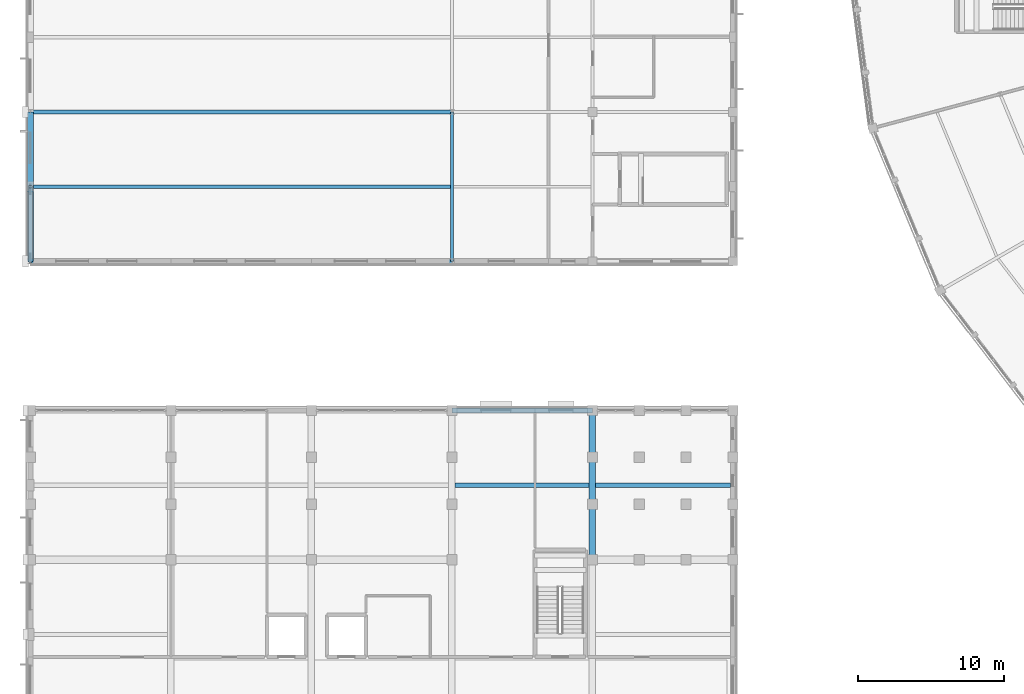
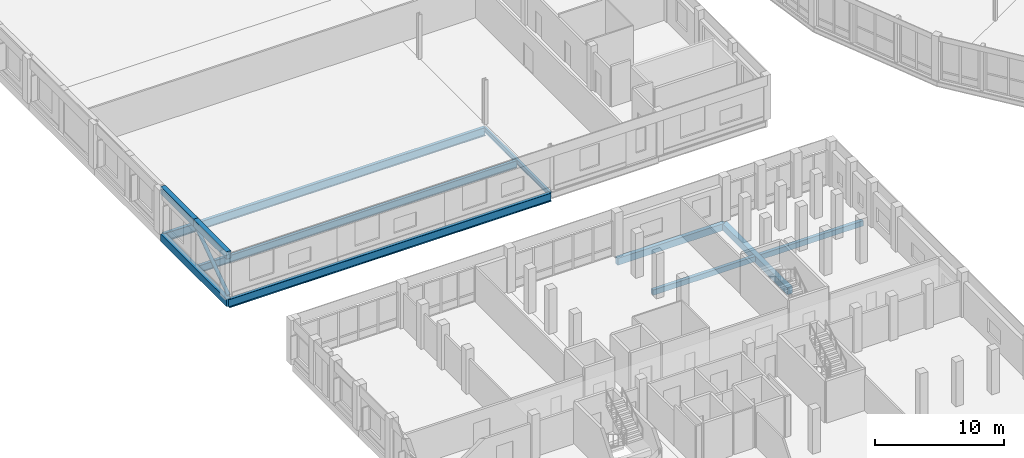
# One storey, part 34 of 185: 11 beams, 1 member.
"""IFC4 building model written with IfcOpenShell, lengths in metres."""

from ifc_helpers import new_model, si_unit, direction, frame, origin, origin_2d, place, context, subcontext, project, spatial, rectangle, hollow_circle, i_section, extrude, material, material_profile, profile_set, type_object, element, save


model = new_model("IFC4")

# Units and contexts
model_context = context("Model", 3, precision=1e-05, world=origin(), true_north=direction((0.0, 1.0)))
body_context = subcontext(model_context, "Body", "Model", "MODEL_VIEW")
ifc_project = project(units=[si_unit("LENGTHUNIT", "METRE"), si_unit("AREAUNIT", "SQUARE_METRE"), si_unit("VOLUMEUNIT", "CUBIC_METRE"), si_unit("PLANEANGLEUNIT", "RADIAN"), si_unit("MASSUNIT", "GRAM", prefix="KILO")], contexts=[model_context])

# Site, building, storey
site_placement = place(None, origin())
site = spatial("IfcSite", under=ifc_project, at=site_placement, CompositionType="ELEMENT")
building_placement = place(site_placement, origin())
building = spatial("IfcBuilding", under=site, at=building_placement, Name="Vondelvale Polytechnic", CompositionType="ELEMENT")
storey_placement = place(building_placement, frame((0.0, 0.0, 9.60009765625)))
storey = spatial("IfcBuildingStorey", under=building, at=storey_placement, Name="L02", CompositionType="ELEMENT", Elevation=9.60009765625)

# Beams
ifc_material_1 = material(Name="Concrete N40 (f'c = 40 MPa)", Category="concrete")
ifc_material_profile_1 = material_profile(ifc_material_1, rectangle(XDim=0.449951171875, YDim=0.64990234375, at=origin_2d()), Name="RC-BM-450x650")
ifc_profile_set_1 = profile_set([ifc_material_profile_1], Name="Concrete N40 (f'c = 40 MPa)")
beam_type_1 = type_object("IfcBeamType", Name="BM-RC450x650", PredefinedType="BEAM", material=ifc_profile_set_1)
beam_1_placement = place(storey_placement, frame((38.39990234375, 30.60009765625, -0.60498046875), z_axis=(0.0, 1.0, 0.0), x_axis=(-1.0, 0.0, 0.0)))
element("IfcBeam", 1, at=beam_1_placement, inside=storey, type_object=beam_type_1, Name="L02 B B-04", PredefinedType="BEAM", context=body_context, shape_type="SweptSolid", body=[
    extrude(rectangle(XDim=0.449951171875, YDim=0.64990234375, at=origin_2d()), origin(), (0.0, 0.0, 1.0), 10.199951171875),
])
ifc_material_2 = material(Name="Steel 300PLUS (fy = 300 MPa)", Category="steel")
ifc_material_profile_2 = material_profile(ifc_material_2, i_section(OverallWidth=0.18994140625, OverallDepth=0.45703125, WebThickness=0.009033203125, FlangeThickness=0.014404296875, FilletRadius=0.011474609375, at=origin_2d()), Name="460UB74.6")
ifc_profile_set_2 = profile_set([ifc_material_profile_2], Name="Steel 300PLUS (fy = 300 MPa)")
beam_type_2 = type_object("IfcBeamType", Name="BM-UB460", PredefinedType="BEAM", material=ifc_profile_set_2)
beam_2_placement = place(storey_placement, frame((28.800048828125, 51.0, -0.508544921875), z_axis=(0.0, 1.0, 0.0), x_axis=(-1.0, 0.0, 0.0)))
element("IfcBeam", 2, at=beam_2_placement, inside=storey, type_object=beam_type_2, Name="L02 B B-13", PredefinedType="BEAM", context=body_context, shape_type="SweptSolid", body=[
    extrude(i_section(OverallWidth=0.18994140625, OverallDepth=0.45703125, WebThickness=0.009033203125, FlangeThickness=0.014404296875, FilletRadius=0.011474609375, at=origin_2d()), origin(), (0.0, 0.0, 1.0), 10.199951171875),
])
ifc_material_profile_3 = material_profile(ifc_material_2, i_section(OverallWidth=0.25, OverallDepth=0.69189453125, WebThickness=0.009033203125, FlangeThickness=0.011962890625, FilletRadius=0.013916015625, at=origin_2d()), Name="700WB115")
ifc_profile_set_3 = profile_set([ifc_material_profile_3], Name="Steel 300PLUS (fy = 300 MPa)")
beam_type_3 = type_object("IfcBeamType", Name="BM-WB700L", PredefinedType="BEAM", material=ifc_profile_set_3)
beam_3_placement = place(storey_placement, frame((0.199951171875, 56.10009765625, -0.6259765625), z_axis=(1.0, 0.0, 0.0), x_axis=(0.0, 1.0, 0.0)))
element("IfcBeam", 3, at=beam_3_placement, inside=storey, type_object=beam_type_3, Name="L02 J B-19", PredefinedType="BEAM", context=body_context, shape_type="SweptSolid", body=[
    extrude(i_section(OverallWidth=0.25, OverallDepth=0.69189453125, WebThickness=0.009033203125, FlangeThickness=0.011962890625, FilletRadius=0.013916015625, at=origin_2d()), origin(), (0.0, 0.0, 1.0), 28.5),
])
ifc_material_profile_4 = material_profile(ifc_material_2, i_section(OverallWidth=0.27490234375, OverallDepth=0.800048828125, WebThickness=0.011962890625, FlangeThickness=0.02001953125, FilletRadius=0.011962890625, at=origin_2d()), Name="800WB168")
ifc_profile_set_4 = profile_set([ifc_material_profile_4], Name="Steel 300PLUS (fy = 300 MPa)")
beam_type_4 = type_object("IfcBeamType", Name="BM-WB800", PredefinedType="BEAM", material=ifc_profile_set_4)
beam_4_placement = place(storey_placement, frame((0.0, 51.0, -0.68017578125), z_axis=(1.0, 0.0, 0.0), x_axis=(0.0, 1.0, 0.0)))
element("IfcBeam", 4, at=beam_4_placement, inside=storey, type_object=beam_type_4, Name="L02 B B-07", PredefinedType="BEAM", context=body_context, shape_type="SweptSolid", body=[
    extrude(i_section(OverallWidth=0.27490234375, OverallDepth=0.800048828125, WebThickness=0.011962890625, FlangeThickness=0.02001953125, FilletRadius=0.011962890625, at=origin_2d()), origin(), (0.0, 0.0, 1.0), 28.800048828125),
])
ifc_material_profile_5 = material_profile(ifc_material_2, i_section(OverallWidth=0.27490234375, OverallDepth=0.7919921875, WebThickness=0.009033203125, FlangeThickness=0.01611328125, FilletRadius=0.013916015625, at=origin_2d()), Name="800WB146")
ifc_profile_set_5 = profile_set([ifc_material_profile_5], Name="Steel 300PLUS (fy = 300 MPa)")
beam_type_5 = type_object("IfcBeamType", Name="BM-WB800L", PredefinedType="BEAM", material=ifc_profile_set_5)
beam_5_placement = place(storey_placement, frame((0.0, 61.199951171875, -0.676025390625), z_axis=(1.0, 0.0, 0.0), x_axis=(0.0, 1.0, 0.0)))
element("IfcBeam", 5, at=beam_5_placement, inside=storey, type_object=beam_type_5, Name="L02 B B-18", PredefinedType="BEAM", context=body_context, shape_type="SweptSolid", body=[
    extrude(i_section(OverallWidth=0.27490234375, OverallDepth=0.7919921875, WebThickness=0.009033203125, FlangeThickness=0.01611328125, FilletRadius=0.013916015625, at=origin_2d()), origin(), (0.0, 0.0, 1.0), 28.800048828125),
])

# Member
ifc_material_3 = material(Name="Steel C350L0 (fy = 350 MPa)", Category="steel")
ifc_material_profile_6 = material_profile(ifc_material_3, hollow_circle(Radius=0.161865234375, WallThickness=0.010009765625, at=origin_2d()), Name="323.9x10.0CHS")
ifc_profile_set_6 = profile_set([ifc_material_profile_6], Name="Steel C350L0 (fy = 350 MPa)")
member_type = type_object("IfcMemberType", Name="FRAME BRACE 323CHS", PredefinedType="BRACE", material=ifc_profile_set_6)
member_placement = place(storey_placement, frame((0.0, 51.0, 0.039794921875), z_axis=(0.0, 0.823763385237, 0.566933757279), x_axis=(-1.0, 0.0, 0.0)))
element("IfcMember", 6, at=member_placement, inside=storey, type_object=member_type, Name="L02 workshop perimeter concentrically braced bay 1", PredefinedType="BRACE", context=body_context, shape_type="SweptSolid", body=[
    extrude(hollow_circle(Radius=0.161865234375, WallThickness=0.010009765625, at=origin_2d()), origin(), (0.0, 0.0, 1.0), 6.191162109375),
])

# Beams
ifc_material_profile_7 = material_profile(ifc_material_1, rectangle(XDim=0.300048828125, YDim=0.5, at=origin_2d()), Name="RC-JST-300x500")
ifc_profile_set_7 = profile_set([ifc_material_profile_7], Name="Concrete N40 (f'c = 40 MPa)")
beam_type_6 = type_object("IfcBeamType", Name="JST-RC300x500", PredefinedType="JOIST", material=ifc_profile_set_7)
beam_6_placement = place(storey_placement, frame((29.02490234375, 35.699951171875, -0.530029296875), z_axis=(1.0, 0.0, 0.0), x_axis=(0.0, 1.0, 0.0)))
element("IfcBeam", 7, at=beam_6_placement, inside=storey, type_object=beam_type_6, Name="L02 J J-02", PredefinedType="JOIST", context=body_context, shape_type="SweptSolid", body=[
    extrude(rectangle(XDim=0.300048828125, YDim=0.5, at=origin_2d()), origin(), (0.0, 0.0, 1.0), 9.150146484375),
])
beam_7_placement = place(storey_placement, frame((38.625, 35.699951171875, -0.530029296875), z_axis=(1.0, 0.0, 0.0), x_axis=(0.0, 1.0, 0.0)))
element("IfcBeam", 8, at=beam_7_placement, inside=storey, type_object=beam_type_6, Name="L02 J J-02", PredefinedType="JOIST", context=body_context, shape_type="SweptSolid", body=[
    extrude(rectangle(XDim=0.300048828125, YDim=0.5, at=origin_2d()), origin(), (0.0, 0.0, 1.0), 9.199951171875),
])
ifc_material_4 = material(Name="Precast concrete N40 (f'c = 40 MPa)", Category="concrete")
ifc_material_profile_8 = material_profile(ifc_material_4, rectangle(XDim=0.35009765625, YDim=0.64990234375, at=origin_2d()), Name="RC-SPN-350x650")
ifc_profile_set_8 = profile_set([ifc_material_profile_8], Name="Precast concrete N40 (f'c = 40 MPa)")
beam_type_7 = type_object("IfcBeamType", Name="SPN-PRE350x650", PredefinedType="SPANDREL", material=ifc_profile_set_8)
beam_8_placement = place(storey_placement, frame((28.800048828125, 40.800048828125, -0.60498046875), z_axis=(1.0, 0.0, 0.0), x_axis=(0.0, 1.0, 0.0)))
element("IfcBeam", 9, at=beam_8_placement, inside=storey, type_object=beam_type_7, Name="L02 B SP-02", PredefinedType="SPANDREL", context=body_context, shape_type="SweptSolid", body=[
    extrude(rectangle(XDim=0.35009765625, YDim=0.64990234375, at=origin_2d()), origin(), (0.0, 0.0, 1.0), 9.599853515625),
])
ifc_material_profile_9 = material_profile(ifc_material_4, rectangle(XDim=0.39990234375, YDim=0.699951171875, at=origin_2d()), Name="RC-SPN-400x700")
ifc_profile_set_9 = profile_set([ifc_material_profile_9], Name="Precast concrete N40 (f'c = 40 MPa)")
beam_type_8 = type_object("IfcBeamType", Name="SPN-PRE400x700", PredefinedType="SPANDREL", material=ifc_profile_set_9)
beam_9_placement = place(storey_placement, frame((0.0, 51.0, -0.630126953125), z_axis=(0.0, 1.0, 0.0), x_axis=(-1.0, 0.0, 0.0)))
element("IfcBeam", 10, at=beam_9_placement, inside=storey, type_object=beam_type_8, Name="L02 SP SP-01", PredefinedType="SPANDREL", context=body_context, shape_type="SweptSolid", body=[
    extrude(rectangle(XDim=0.39990234375, YDim=0.699951171875, at=origin_2d()), origin(), (0.0, 0.0, 1.0), 10.199951171875),
])
beam_10_placement = place(storey_placement, frame((0.0, 51.0, 3.849853515625), z_axis=(0.0, 1.0, 0.0), x_axis=(-1.0, 0.0, 0.0)))
element("IfcBeam", 11, at=beam_10_placement, inside=storey, type_object=beam_type_8, Name="L02 SP SP-01", PredefinedType="SPANDREL", context=body_context, shape_type="SweptSolid", body=[
    extrude(rectangle(XDim=0.39990234375, YDim=0.699951171875, at=origin_2d()), origin(), (0.0, 0.0, 1.0), 5.10009765625),
])
beam_11_placement = place(storey_placement, frame((0.0, 56.10009765625, 3.849853515625), z_axis=(0.0, 1.0, 0.0), x_axis=(-1.0, 0.0, 0.0)))
element("IfcBeam", 12, at=beam_11_placement, inside=storey, type_object=beam_type_8, Name="L02 SP SP-01", PredefinedType="SPANDREL", context=body_context, shape_type="SweptSolid", body=[
    extrude(rectangle(XDim=0.39990234375, YDim=0.699951171875, at=origin_2d()), origin(), (0.0, 0.0, 1.0), 5.099853515625),
])

save(model, "model.ifc")
